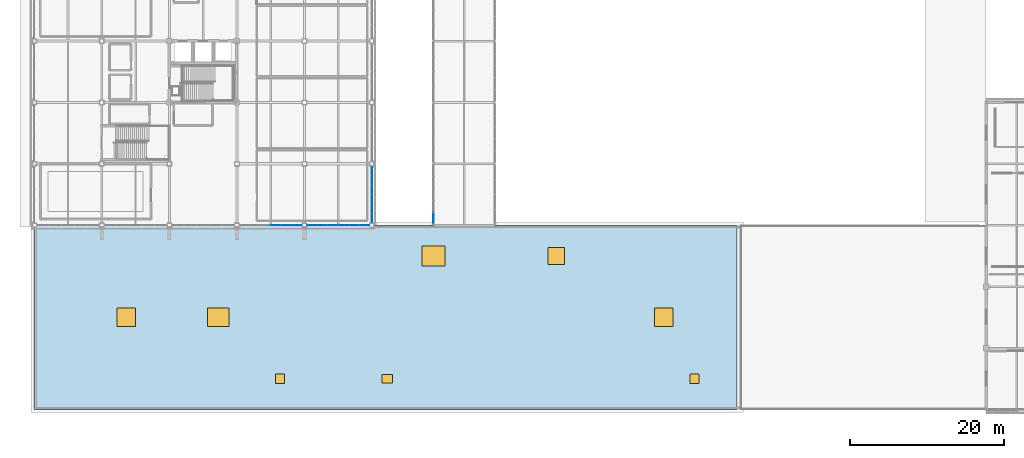
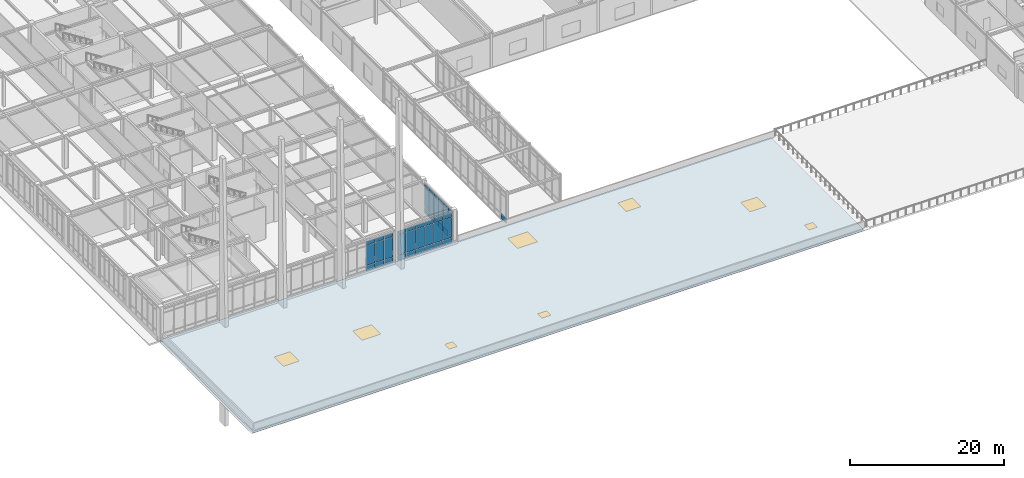
# One storey, part 59 of 108: 46 plates, 5 windows, 3 doors, 1 slab, 8 openings, 4 elements without a shape of their own.
"""IFC4 building model written with IfcOpenShell, lengths in metres."""

import ifcopenshell
import ifcopenshell.guid

model = None  # the IFC model being written
_history = None  # IfcOwnerHistory: only IFC2X3 demands one
_inside = {}  # id of a spatial element -> (the spatial element, [elements in it])
_under = {}  # id of a project, library or spatial element -> (it, [spatial elements below it])
_declared = {}  # id of a project -> (the project, [libraries it declares])
_typed = {}  # id of a type object -> (the type object, [elements of that type])
_made_of = {}  # id of a material, layer set ... -> (it, [elements and type objects made of it])


def new_model(schema):
    """Start an empty IFC model of exactly this schema.

    Asked for "IFC4X3", IfcOpenShell would pick the latest addendum, in which some entities
    have other attributes; the version numbers below select the first issue.
    IFC2X3 requires an IfcOwnerHistory on every rooted entity: one is made here for all.
    """
    global model, _history
    if schema == "IFC4X3":
        model = ifcopenshell.file(schema_version=(4, 3, 0, 0))
    else:
        model = ifcopenshell.file(schema=schema)
    _inside.clear()
    _under.clear()
    _declared.clear()
    _typed.clear()
    _made_of.clear()
    _history = None
    if model.schema == "IFC2X3":
        org = make("IfcOrganization", Name="unknown")
        user = make(
            "IfcPersonAndOrganization",
            ThePerson=make("IfcPerson", FamilyName="unknown"),
            TheOrganization=org,
        )
        app = make(
            "IfcApplication",
            ApplicationDeveloper=org,
            Version="unknown",
            ApplicationFullName="unknown",
            ApplicationIdentifier="unknown",
        )
        _history = make(
            "IfcOwnerHistory",
            OwningUser=user,
            OwningApplication=app,
            ChangeAction="ADDED",
            CreationDate=0,
        )
    return model


def make(cls, **values):
    """One entity of the class cls with the attributes given. An attribute that is None is left unset."""
    return model.create_entity(
        cls, **{name: value for name, value in values.items() if value is not None}
    )


def rooted(cls, **values):
    """An entity with a GlobalId (a new one), such as an element, a storey or a relation."""
    return make(cls, GlobalId=ifcopenshell.guid.new(), OwnerHistory=_history, **values)


def si_unit(unit_type, name, prefix=None):
    """IfcSIUnit, for example si_unit("LENGTHUNIT", "METRE", prefix="MILLI")."""
    return make("IfcSIUnit", UnitType=unit_type, Prefix=prefix, Name=name)


def assignment(units):
    """IfcUnitAssignment: the units of a project."""
    return None if units is None else make("IfcUnitAssignment", Units=units)


def point(xyz):
    """IfcCartesianPoint."""
    return None if xyz is None else make("IfcCartesianPoint", Coordinates=xyz)


def direction(xyz):
    """IfcDirection."""
    return None if xyz is None else make("IfcDirection", DirectionRatios=xyz)


def frame(location, z_axis=None, x_axis=None):
    """IfcAxis2Placement3D, a coordinate frame: its origin and axes. An axis left out is left unset."""
    return make(
        "IfcAxis2Placement3D",
        Location=point(location),
        Axis=direction(z_axis),
        RefDirection=direction(x_axis),
    )


def frame_2d(location, x_axis=None):
    """IfcAxis2Placement2D, a coordinate frame in the plane: its origin and x axis."""
    return make(
        "IfcAxis2Placement2D", Location=point(location), RefDirection=direction(x_axis)
    )


def origin():
    """The frame at (0, 0, 0) with its axes left unset."""
    return frame((0.0, 0.0, 0.0))


def origin_2d():
    """The frame at (0, 0) in the plane with its x axis left unset."""
    return frame_2d((0.0, 0.0))


def place(relative_to, where):
    """IfcLocalPlacement: puts the frame where relative to a parent placement (None: the world)."""
    return make(
        "IfcLocalPlacement", PlacementRelTo=relative_to, RelativePlacement=where
    )


def context(
    kind, dimensions, precision=None, world=None, true_north=None, identifier=None
):
    """IfcGeometricRepresentationContext, for example the 3D "Model" context."""
    return make(
        "IfcGeometricRepresentationContext",
        ContextIdentifier=identifier,
        ContextType=kind,
        CoordinateSpaceDimension=dimensions,
        Precision=precision,
        WorldCoordinateSystem=world,
        TrueNorth=true_north,
    )


def subcontext(parent, identifier, kind, view, scale=None):
    """IfcGeometricRepresentationSubContext, for example "Body" below "Model"."""
    return make(
        "IfcGeometricRepresentationSubContext",
        ContextIdentifier=identifier,
        ContextType=kind,
        ParentContext=parent,
        TargetScale=scale,
        TargetView=view,
    )


def project(units=None, contexts=None):
    """IfcProject with its units and contexts."""
    return rooted(
        "IfcProject",
        Name="project",
        RepresentationContexts=contexts,
        UnitsInContext=assignment(units),
    )


def spatial(cls, under=None, at=None, **own):
    """A site, building, storey or space (cls), placed at a placement, below another one or the project."""
    s = rooted(cls, ObjectPlacement=at, **own)
    if under is not None:
        _under.setdefault(under.id(), (under, []))[1].append(s)
    return s


def polyline(points):
    """IfcPolyline through the points."""
    return make("IfcPolyline", Points=[point(p) for p in points])


def profile(cls, at=None, kind="AREA", **sizes):
    """A parametric profile (cls). Its sizes go by their IFC names, for example OverallWidth=200.0."""
    return make(cls, ProfileType=kind, Position=at, **sizes)


def rectangle(**sizes):
    """IfcRectangleProfileDef."""
    return profile("IfcRectangleProfileDef", **sizes)


def outline(outer, holes=None, kind="AREA"):
    """IfcArbitraryClosedProfileDef: a profile drawn as a closed curve; with holes, ...WithVoids."""
    if holes is None:
        return make("IfcArbitraryClosedProfileDef", ProfileType=kind, OuterCurve=outer)
    return make(
        "IfcArbitraryProfileDefWithVoids",
        ProfileType=kind,
        OuterCurve=outer,
        InnerCurves=holes,
    )


def extrude(swept, where, along, depth):
    """IfcExtrudedAreaSolid: the profile swept, set in the frame where, extruded along a direction by depth."""
    return make(
        "IfcExtrudedAreaSolid",
        SweptArea=swept,
        Position=where,
        ExtrudedDirection=direction(along),
        Depth=depth,
    )


def shape(context_of_items, identifier, shape_type, items):
    """IfcShapeRepresentation: the items that make up one representation, for example the "Body"."""
    return make(
        "IfcShapeRepresentation",
        ContextOfItems=context_of_items,
        RepresentationIdentifier=identifier,
        RepresentationType=shape_type,
        Items=items,
    )


def material(Name=None, Category=None):
    """IfcMaterial."""
    return make("IfcMaterial", Name=Name, Category=Category)


def layer(
    of_material, thickness, ventilated=None, Name=None, Category=None, Priority=None
):
    """IfcMaterialLayer: one layer of a wall or slab, of a material (None: an air gap)."""
    return make(
        "IfcMaterialLayer",
        Material=of_material,
        LayerThickness=thickness,
        IsVentilated=ventilated,
        Name=Name,
        Category=Category,
        Priority=Priority,
    )


def layer_set(layers, Name=None):
    """IfcMaterialLayerSet."""
    return make("IfcMaterialLayerSet", MaterialLayers=layers, LayerSetName=Name)


def made_of(thing, what):
    """Note that an element or type object is made of a material, layer set ...; save() writes the relation."""
    if what is not None:
        _made_of.setdefault(what.id(), (what, []))[1].append(thing)
    return thing


def type_object(cls, material=None, **own):
    """A type object (cls), such as IfcWallType, which elements share."""
    return made_of(rooted(cls, **own), material)


def element(
    cls,
    number,
    at=None,
    inside=None,
    cuts=None,
    type_object=None,
    material=None,
    context=None,
    identifier="Body",
    shape_type=None,
    held_by="IfcProductDefinitionShape",
    body=None,
    shapes=None,
    **own,
):
    """One element of the class cls, such as IfcWall. Its Tag is "e" and its number.

    at: its placement. inside: the storey or other place that contains it. cuts: it is an
    opening in that element (IfcRelVoidsElement). A single representation is given by context,
    identifier, shape_type and body (its items); several are given by shapes. held_by: the class
    of the entity that holds the representations. save() writes the other relations.
    """
    e = rooted(cls, Tag="e%d" % number, ObjectPlacement=at, **own)
    if body is not None:
        shapes = [shape(context, identifier, shape_type, body)]
    if shapes is not None:
        e.Representation = make(held_by, Representations=shapes)
    if inside is not None:
        _inside.setdefault(inside.id(), (inside, []))[1].append(e)
    if cuts is not None:
        rooted(
            "IfcRelVoidsElement", RelatingBuildingElement=cuts, RelatedOpeningElement=e
        )
    if type_object is not None:
        _typed.setdefault(type_object.id(), (type_object, []))[1].append(e)
    return made_of(e, material)


def fill(opening, filler):
    """IfcRelFillsElement: the door or window that sits in an opening."""
    return rooted(
        "IfcRelFillsElement",
        RelatingOpeningElement=opening,
        RelatedBuildingElement=filler,
    )


def aggregate(whole, parts):
    """IfcRelAggregates: a whole, such as a stair, and the parts it consists of."""
    return rooted("IfcRelAggregates", RelatingObject=whole, RelatedObjects=parts)


def save(model, path):
    """Write the relations noted so far, then the file.

    IfcRelAggregates (storeys below a building ...), IfcRelContainedInSpatialStructure (elements
    in a storey), IfcRelDefinesByType, IfcRelAssociatesMaterial and IfcRelDeclares: one each for
    every whole, place, type object, material and project.
    """
    for whole, parts in _under.values():
        aggregate(whole, parts)
    for where, things in _inside.values():
        rooted(
            "IfcRelContainedInSpatialStructure",
            RelatedElements=things,
            RelatingStructure=where,
        )
    for kind, things in _typed.values():
        rooted("IfcRelDefinesByType", RelatedObjects=things, RelatingType=kind)
    for what, things in _made_of.values():
        rooted("IfcRelAssociatesMaterial", RelatedObjects=things, RelatingMaterial=what)
    for by, libraries in _declared.values():
        rooted("IfcRelDeclares", RelatingContext=by, RelatedDefinitions=libraries)
    model.write(path)


model = new_model("IFC4")

# Units and contexts
model_context = context("Model", 3, precision=1e-05, world=origin(), true_north=direction((0.0, 1.0)))
body_context = subcontext(model_context, "Body", "Model", "MODEL_VIEW")
ifc_project = project(units=[si_unit("LENGTHUNIT", "METRE"), si_unit("AREAUNIT", "SQUARE_METRE"), si_unit("VOLUMEUNIT", "CUBIC_METRE"), si_unit("PLANEANGLEUNIT", "RADIAN"), si_unit("MASSUNIT", "GRAM", prefix="KILO")], contexts=[model_context])

# Site, building, storey
site_placement = place(None, origin())
site = spatial("IfcSite", under=ifc_project, at=site_placement, CompositionType="ELEMENT")
building_placement = place(site_placement, origin())
building = spatial("IfcBuilding", under=site, at=building_placement, Name="Zhaolan Boulevard Law Courts", CompositionType="ELEMENT")
storey_placement = place(building_placement, frame((0.0, 0.0, 10.800048828125)))
storey = spatial("IfcBuildingStorey", under=building, at=storey_placement, Name="L02", CompositionType="ELEMENT", Elevation=10.800048828125)

# Curtain wall, plate
ifc_material_1 = material(Name="Thermally broken aluminium and low-E glazing", Category="aluminium")
curtain_wall_type_1 = type_object("IfcCurtainWallType", Name="CURTAIN WALL M20", PredefinedType="USERDEFINED", material=ifc_material_1)
curtain_wall_1_placement = place(storey_placement, origin())
curtain_wall_1 = element("IfcCurtainWall", 1, at=curtain_wall_1_placement, inside=storey, type_object=curtain_wall_type_1, Name="Curtain Wall CW-L02-092", ObjectType="CURTAIN WALL", PredefinedType="USERDEFINED")
ifc_material_2 = material(Name="Triple-silver low-E insulated glazing", Category="glass")
ifc_layer_1 = layer(ifc_material_2, 0.028076171875)
ifc_layer_set_1 = layer_set([ifc_layer_1])
plate_type = type_object("IfcPlateType", Name="CWPANEL LOW E28", PredefinedType="CURTAIN_PANEL", material=ifc_layer_set_1)
plate_1_placement = place(storey_placement, frame((52.0, 30.91796875, 0.06494140625), z_axis=(0.0, 0.0, 1.0), x_axis=(0.0, -1.0, 0.0)))
plate_1 = element("IfcPlate", 2, at=plate_1_placement, type_object=plate_type, Name="CW-L02-092 panel 5.1", PredefinedType="CURTAIN_PANEL", context=body_context, shape_type="SweptSolid", body=[
    extrude(rectangle(XDim=1.45166015625, YDim=0.028076171875, at=origin_2d()), origin(), (0.0, 0.0, 1.0), 0.802490234375),
])
aggregate(curtain_wall_1, [plate_1])

# Curtain wall, plates
ifc_material_3 = material(Name="Thermally broken aluminium and low-E glazing", Category="aluminium")
curtain_wall_type_2 = type_object("IfcCurtainWallType", Name="CURTAIN WALL M10", PredefinedType="USERDEFINED", material=ifc_material_3)
curtain_wall_2_placement = place(storey_placement, origin())
curtain_wall_2 = element("IfcCurtainWall", 3, at=curtain_wall_2_placement, inside=storey, type_object=curtain_wall_type_2, Name="Curtain Wall CW-L02-154", ObjectType="CURTAIN WALL", PredefinedType="USERDEFINED")
plate_2_placement = place(storey_placement, frame((31.48291015625, 30.0, 0.06494140625), z_axis=(0.0, 0.0, 1.0), x_axis=(1.0, 0.0, 0.0)))
plate_2 = element("IfcPlate", 4, at=plate_2_placement, type_object=plate_type, Name="CW-L02-154 panel 4.1", PredefinedType="CURTAIN_PANEL", context=body_context, shape_type="SweptSolid", body=[
    extrude(rectangle(XDim=1.301025390625, YDim=0.028076171875, at=origin_2d()), origin(), (0.0, 0.0, 1.0), 0.802490234375),
])
plate_3_placement = place(storey_placement, frame((31.48291015625, 30.0, 0.932373046875), z_axis=(0.0, 0.0, 1.0), x_axis=(1.0, 0.0, 0.0)))
plate_3 = element("IfcPlate", 5, at=plate_3_placement, type_object=plate_type, Name="CW-L02-154 panel 4.2", PredefinedType="CURTAIN_PANEL", context=body_context, shape_type="SweptSolid", body=[
    extrude(rectangle(XDim=1.301025390625, YDim=0.028076171875, at=origin_2d()), origin(), (0.0, 0.0, 1.0), 3.16796875),
])
plate_4_placement = place(storey_placement, frame((31.48291015625, 30.0, 4.16552734375), z_axis=(0.0, 0.0, 1.0), x_axis=(1.0, 0.0, 0.0)))
plate_4 = element("IfcPlate", 6, at=plate_4_placement, type_object=plate_type, Name="CW-L02-154 panel 4.3", PredefinedType="CURTAIN_PANEL", context=body_context, shape_type="SweptSolid", body=[
    extrude(rectangle(XDim=1.301025390625, YDim=0.028076171875, at=origin_2d()), origin(), (0.0, 0.0, 1.0), 0.552490234375),
])
plate_5_placement = place(storey_placement, frame((32.84912109375, 30.0, 0.06494140625), z_axis=(0.0, 0.0, 1.0), x_axis=(1.0, 0.0, 0.0)))
plate_5 = element("IfcPlate", 7, at=plate_5_placement, type_object=plate_type, Name="CW-L02-154 panel 5.1", PredefinedType="CURTAIN_PANEL", context=body_context, shape_type="SweptSolid", body=[
    extrude(rectangle(XDim=1.301025390625, YDim=0.028076171875, at=origin_2d()), origin(), (0.0, 0.0, 1.0), 0.802490234375),
])
plate_6_placement = place(storey_placement, frame((32.84912109375, 30.0, 0.932373046875), z_axis=(0.0, 0.0, 1.0), x_axis=(1.0, 0.0, 0.0)))
plate_6 = element("IfcPlate", 8, at=plate_6_placement, type_object=plate_type, Name="CW-L02-154 panel 5.2", PredefinedType="CURTAIN_PANEL", context=body_context, shape_type="SweptSolid", body=[
    extrude(rectangle(XDim=1.301025390625, YDim=0.028076171875, at=origin_2d()), origin(), (0.0, 0.0, 1.0), 3.16796875),
])
plate_7_placement = place(storey_placement, frame((32.84912109375, 30.0, 4.16552734375), z_axis=(0.0, 0.0, 1.0), x_axis=(1.0, 0.0, 0.0)))
plate_7 = element("IfcPlate", 9, at=plate_7_placement, type_object=plate_type, Name="CW-L02-154 panel 5.3", PredefinedType="CURTAIN_PANEL", context=body_context, shape_type="SweptSolid", body=[
    extrude(rectangle(XDim=1.301025390625, YDim=0.028076171875, at=origin_2d()), origin(), (0.0, 0.0, 1.0), 0.552490234375),
])
plate_8_placement = place(storey_placement, frame((34.19873046875, 30.0, 0.06494140625), z_axis=(0.0, 0.0, 1.0), x_axis=(1.0, 0.0, 0.0)))
plate_8 = element("IfcPlate", 10, at=plate_8_placement, type_object=plate_type, Name="CW-L02-154 panel 6.1", PredefinedType="CURTAIN_PANEL", context=body_context, shape_type="SweptSolid", body=[
    extrude(rectangle(XDim=1.2685546875, YDim=0.028076171875, at=origin_2d()), origin(), (0.0, 0.0, 1.0), 0.802490234375),
])
plate_9_placement = place(storey_placement, frame((34.19873046875, 30.0, 0.932373046875), z_axis=(0.0, 0.0, 1.0), x_axis=(1.0, 0.0, 0.0)))
plate_9 = element("IfcPlate", 11, at=plate_9_placement, type_object=plate_type, Name="CW-L02-154 panel 6.2", PredefinedType="CURTAIN_PANEL", context=body_context, shape_type="SweptSolid", body=[
    extrude(rectangle(XDim=1.2685546875, YDim=0.028076171875, at=origin_2d()), origin(), (0.0, 0.0, 1.0), 3.16796875),
])
plate_10_placement = place(storey_placement, frame((34.19873046875, 30.0, 4.16552734375), z_axis=(0.0, 0.0, 1.0), x_axis=(1.0, 0.0, 0.0)))
plate_10 = element("IfcPlate", 12, at=plate_10_placement, type_object=plate_type, Name="CW-L02-154 panel 6.3", PredefinedType="CURTAIN_PANEL", context=body_context, shape_type="SweptSolid", body=[
    extrude(rectangle(XDim=1.2685546875, YDim=0.028076171875, at=origin_2d()), origin(), (0.0, 0.0, 1.0), 0.552490234375),
])
aggregate(curtain_wall_2, [plate_2, plate_3, plate_4, plate_5, plate_6, plate_7, plate_8, plate_9, plate_10])

ifc_material_4 = material(Name="Thermally broken aluminium and low-E glazing", Category="aluminium")
curtain_wall_type_3 = type_object("IfcCurtainWallType", Name="CURTAIN WALL M11", PredefinedType="USERDEFINED", material=ifc_material_4)
curtain_wall_3_placement = place(storey_placement, origin())
curtain_wall_3 = element("IfcCurtainWall", 13, at=curtain_wall_3_placement, inside=storey, type_object=curtain_wall_type_3, Name="Curtain Wall CW-L02-155", ObjectType="CURTAIN WALL", PredefinedType="USERDEFINED")
plate_11_placement = place(storey_placement, frame((36.201171875, 30.0, 0.06494140625), z_axis=(0.0, 0.0, 1.0), x_axis=(1.0, 0.0, 0.0)))
plate_11 = element("IfcPlate", 14, at=plate_11_placement, type_object=plate_type, Name="CW-L02-155 panel 1.1", PredefinedType="CURTAIN_PANEL", context=body_context, shape_type="SweptSolid", body=[
    extrude(rectangle(XDim=1.2685546875, YDim=0.028076171875, at=origin_2d()), origin(), (0.0, 0.0, 1.0), 0.802490234375),
])
plate_12_placement = place(storey_placement, frame((36.201171875, 30.0, 0.932373046875), z_axis=(0.0, 0.0, 1.0), x_axis=(1.0, 0.0, 0.0)))
plate_12 = element("IfcPlate", 15, at=plate_12_placement, type_object=plate_type, Name="CW-L02-155 panel 1.2", PredefinedType="CURTAIN_PANEL", context=body_context, shape_type="SweptSolid", body=[
    extrude(rectangle(XDim=1.2685546875, YDim=0.028076171875, at=origin_2d()), origin(), (0.0, 0.0, 1.0), 3.16796875),
])
plate_13_placement = place(storey_placement, frame((36.201171875, 30.0, 4.16552734375), z_axis=(0.0, 0.0, 1.0), x_axis=(1.0, 0.0, 0.0)))
plate_13 = element("IfcPlate", 16, at=plate_13_placement, type_object=plate_type, Name="CW-L02-155 panel 1.3", PredefinedType="CURTAIN_PANEL", context=body_context, shape_type="SweptSolid", body=[
    extrude(rectangle(XDim=1.2685546875, YDim=0.028076171875, at=origin_2d()), origin(), (0.0, 0.0, 1.0), 0.552490234375),
])
plate_14_placement = place(storey_placement, frame((37.551025390625, 30.0, 0.06494140625), z_axis=(0.0, 0.0, 1.0), x_axis=(1.0, 0.0, 0.0)))
plate_14 = element("IfcPlate", 17, at=plate_14_placement, type_object=plate_type, Name="CW-L02-155 panel 2.1", PredefinedType="CURTAIN_PANEL", context=body_context, shape_type="SweptSolid", body=[
    extrude(rectangle(XDim=1.301025390625, YDim=0.028076171875, at=origin_2d()), origin(), (0.0, 0.0, 1.0), 0.802490234375),
])
plate_15_placement = place(storey_placement, frame((37.551025390625, 30.0, 0.932373046875), z_axis=(0.0, 0.0, 1.0), x_axis=(1.0, 0.0, 0.0)))
plate_15 = element("IfcPlate", 18, at=plate_15_placement, type_object=plate_type, Name="CW-L02-155 panel 2.2", PredefinedType="CURTAIN_PANEL", context=body_context, shape_type="SweptSolid", body=[
    extrude(rectangle(XDim=1.301025390625, YDim=0.028076171875, at=origin_2d()), origin(), (0.0, 0.0, 1.0), 3.16796875),
])
plate_16_placement = place(storey_placement, frame((37.551025390625, 30.0, 4.16552734375), z_axis=(0.0, 0.0, 1.0), x_axis=(1.0, 0.0, 0.0)))
plate_16 = element("IfcPlate", 19, at=plate_16_placement, type_object=plate_type, Name="CW-L02-155 panel 2.3", PredefinedType="CURTAIN_PANEL", context=body_context, shape_type="SweptSolid", body=[
    extrude(rectangle(XDim=1.301025390625, YDim=0.028076171875, at=origin_2d()), origin(), (0.0, 0.0, 1.0), 0.552490234375),
])
plate_17_placement = place(storey_placement, frame((38.9169921875, 30.0, 0.06494140625), z_axis=(0.0, 0.0, 1.0), x_axis=(1.0, 0.0, 0.0)))
plate_17 = element("IfcPlate", 20, at=plate_17_placement, type_object=plate_type, Name="CW-L02-155 panel 3.1", PredefinedType="CURTAIN_PANEL", context=body_context, shape_type="SweptSolid", body=[
    extrude(rectangle(XDim=1.301025390625, YDim=0.028076171875, at=origin_2d()), origin(), (0.0, 0.0, 1.0), 0.802490234375),
])
plate_18_placement = place(storey_placement, frame((38.9169921875, 30.0, 0.932373046875), z_axis=(0.0, 0.0, 1.0), x_axis=(1.0, 0.0, 0.0)))
plate_18 = element("IfcPlate", 21, at=plate_18_placement, type_object=plate_type, Name="CW-L02-155 panel 3.2", PredefinedType="CURTAIN_PANEL", context=body_context, shape_type="SweptSolid", body=[
    extrude(rectangle(XDim=1.301025390625, YDim=0.028076171875, at=origin_2d()), origin(), (0.0, 0.0, 1.0), 3.16796875),
])
plate_19_placement = place(storey_placement, frame((38.9169921875, 30.0, 4.16552734375), z_axis=(0.0, 0.0, 1.0), x_axis=(1.0, 0.0, 0.0)))
plate_19 = element("IfcPlate", 22, at=plate_19_placement, type_object=plate_type, Name="CW-L02-155 panel 3.3", PredefinedType="CURTAIN_PANEL", context=body_context, shape_type="SweptSolid", body=[
    extrude(rectangle(XDim=1.301025390625, YDim=0.028076171875, at=origin_2d()), origin(), (0.0, 0.0, 1.0), 0.552490234375),
])
plate_20_placement = place(storey_placement, frame((40.282958984375, 30.0, 0.06494140625), z_axis=(0.0, 0.0, 1.0), x_axis=(1.0, 0.0, 0.0)))
plate_20 = element("IfcPlate", 23, at=plate_20_placement, type_object=plate_type, Name="CW-L02-155 panel 4.1", PredefinedType="CURTAIN_PANEL", context=body_context, shape_type="SweptSolid", body=[
    extrude(rectangle(XDim=1.301025390625, YDim=0.028076171875, at=origin_2d()), origin(), (0.0, 0.0, 1.0), 0.802490234375),
])
plate_21_placement = place(storey_placement, frame((40.282958984375, 30.0, 0.932373046875), z_axis=(0.0, 0.0, 1.0), x_axis=(1.0, 0.0, 0.0)))
plate_21 = element("IfcPlate", 24, at=plate_21_placement, type_object=plate_type, Name="CW-L02-155 panel 4.2", PredefinedType="CURTAIN_PANEL", context=body_context, shape_type="SweptSolid", body=[
    extrude(rectangle(XDim=1.301025390625, YDim=0.028076171875, at=origin_2d()), origin(), (0.0, 0.0, 1.0), 3.16796875),
])
plate_22_placement = place(storey_placement, frame((40.282958984375, 30.0, 4.16552734375), z_axis=(0.0, 0.0, 1.0), x_axis=(1.0, 0.0, 0.0)))
plate_22 = element("IfcPlate", 25, at=plate_22_placement, type_object=plate_type, Name="CW-L02-155 panel 4.3", PredefinedType="CURTAIN_PANEL", context=body_context, shape_type="SweptSolid", body=[
    extrude(rectangle(XDim=1.301025390625, YDim=0.028076171875, at=origin_2d()), origin(), (0.0, 0.0, 1.0), 0.552490234375),
])
plate_23_placement = place(storey_placement, frame((41.64892578125, 30.0, 0.06494140625), z_axis=(0.0, 0.0, 1.0), x_axis=(1.0, 0.0, 0.0)))
plate_23 = element("IfcPlate", 26, at=plate_23_placement, type_object=plate_type, Name="CW-L02-155 panel 5.1", PredefinedType="CURTAIN_PANEL", context=body_context, shape_type="SweptSolid", body=[
    extrude(rectangle(XDim=1.301025390625, YDim=0.028076171875, at=origin_2d()), origin(), (0.0, 0.0, 1.0), 0.802490234375),
])
plate_24_placement = place(storey_placement, frame((41.64892578125, 30.0, 0.932373046875), z_axis=(0.0, 0.0, 1.0), x_axis=(1.0, 0.0, 0.0)))
plate_24 = element("IfcPlate", 27, at=plate_24_placement, type_object=plate_type, Name="CW-L02-155 panel 5.2", PredefinedType="CURTAIN_PANEL", context=body_context, shape_type="SweptSolid", body=[
    extrude(rectangle(XDim=1.301025390625, YDim=0.028076171875, at=origin_2d()), origin(), (0.0, 0.0, 1.0), 3.16796875),
])
plate_25_placement = place(storey_placement, frame((41.64892578125, 30.0, 4.16552734375), z_axis=(0.0, 0.0, 1.0), x_axis=(1.0, 0.0, 0.0)))
plate_25 = element("IfcPlate", 28, at=plate_25_placement, type_object=plate_type, Name="CW-L02-155 panel 5.3", PredefinedType="CURTAIN_PANEL", context=body_context, shape_type="SweptSolid", body=[
    extrude(rectangle(XDim=1.301025390625, YDim=0.028076171875, at=origin_2d()), origin(), (0.0, 0.0, 1.0), 0.552490234375),
])
plate_26_placement = place(storey_placement, frame((42.998779296875, 30.0, 0.06494140625), z_axis=(0.0, 0.0, 1.0), x_axis=(1.0, 0.0, 0.0)))
plate_26 = element("IfcPlate", 29, at=plate_26_placement, type_object=plate_type, Name="CW-L02-155 panel 6.1", PredefinedType="CURTAIN_PANEL", context=body_context, shape_type="SweptSolid", body=[
    extrude(rectangle(XDim=1.2685546875, YDim=0.028076171875, at=origin_2d()), origin(), (0.0, 0.0, 1.0), 0.802490234375),
])
plate_27_placement = place(storey_placement, frame((42.998779296875, 30.0, 0.932373046875), z_axis=(0.0, 0.0, 1.0), x_axis=(1.0, 0.0, 0.0)))
plate_27 = element("IfcPlate", 30, at=plate_27_placement, type_object=plate_type, Name="CW-L02-155 panel 6.2", PredefinedType="CURTAIN_PANEL", context=body_context, shape_type="SweptSolid", body=[
    extrude(rectangle(XDim=1.2685546875, YDim=0.028076171875, at=origin_2d()), origin(), (0.0, 0.0, 1.0), 3.16796875),
])
plate_28_placement = place(storey_placement, frame((42.998779296875, 30.0, 4.16552734375), z_axis=(0.0, 0.0, 1.0), x_axis=(1.0, 0.0, 0.0)))
plate_28 = element("IfcPlate", 31, at=plate_28_placement, type_object=plate_type, Name="CW-L02-155 panel 6.3", PredefinedType="CURTAIN_PANEL", context=body_context, shape_type="SweptSolid", body=[
    extrude(rectangle(XDim=1.2685546875, YDim=0.028076171875, at=origin_2d()), origin(), (0.0, 0.0, 1.0), 0.552490234375),
])
aggregate(curtain_wall_3, [plate_11, plate_12, plate_13, plate_14, plate_15, plate_16, plate_17, plate_18, plate_19, plate_20, plate_21, plate_22, plate_23, plate_24, plate_25, plate_26, plate_27, plate_28])

ifc_material_5 = material(Name="Thermally broken aluminium and low-E glazing", Category="aluminium")
curtain_wall_type_4 = type_object("IfcCurtainWallType", Name="CURTAIN WALL M18", PredefinedType="USERDEFINED", material=ifc_material_5)
curtain_wall_4_placement = place(storey_placement, origin())
curtain_wall_4 = element("IfcCurtainWall", 32, at=curtain_wall_4_placement, inside=storey, type_object=curtain_wall_type_4, Name="Curtain Wall CW-L02-162", ObjectType="CURTAIN WALL", PredefinedType="USERDEFINED")
plate_29_placement = place(storey_placement, frame((44.0, 30.9345703125, 0.06494140625), z_axis=(0.0, 0.0, 1.0), x_axis=(0.0, 1.0, 0.0)))
plate_29 = element("IfcPlate", 33, at=plate_29_placement, type_object=plate_type, Name="CW-L02-162 panel 1.1", PredefinedType="CURTAIN_PANEL", context=body_context, shape_type="SweptSolid", body=[
    extrude(rectangle(XDim=1.13525390625, YDim=0.028076171875, at=origin_2d()), origin(), (0.0, 0.0, 1.0), 0.802490234375),
])
plate_30_placement = place(storey_placement, frame((44.0, 30.9345703125, 0.932373046875), z_axis=(0.0, 0.0, 1.0), x_axis=(0.0, 1.0, 0.0)))
plate_30 = element("IfcPlate", 34, at=plate_30_placement, type_object=plate_type, Name="CW-L02-162 panel 1.2", PredefinedType="CURTAIN_PANEL", context=body_context, shape_type="SweptSolid", body=[
    extrude(rectangle(XDim=1.13525390625, YDim=0.028076171875, at=origin_2d()), origin(), (0.0, 0.0, 1.0), 3.16796875),
])
plate_31_placement = place(storey_placement, frame((44.0, 30.9345703125, 4.16552734375), z_axis=(0.0, 0.0, 1.0), x_axis=(0.0, 1.0, 0.0)))
plate_31 = element("IfcPlate", 35, at=plate_31_placement, type_object=plate_type, Name="CW-L02-162 panel 1.3", PredefinedType="CURTAIN_PANEL", context=body_context, shape_type="SweptSolid", body=[
    extrude(rectangle(XDim=1.13525390625, YDim=0.028076171875, at=origin_2d()), origin(), (0.0, 0.0, 1.0), 0.552490234375),
])
plate_32_placement = place(storey_placement, frame((44.0, 32.15087890625, 0.06494140625), z_axis=(0.0, 0.0, 1.0), x_axis=(0.0, 1.0, 0.0)))
plate_32 = element("IfcPlate", 36, at=plate_32_placement, type_object=plate_type, Name="CW-L02-162 panel 2.1", PredefinedType="CURTAIN_PANEL", context=body_context, shape_type="SweptSolid", body=[
    extrude(rectangle(XDim=1.167724609375, YDim=0.028076171875, at=origin_2d()), origin(), (0.0, 0.0, 1.0), 0.802490234375),
])
plate_33_placement = place(storey_placement, frame((44.0, 32.15087890625, 0.932373046875), z_axis=(0.0, 0.0, 1.0), x_axis=(0.0, 1.0, 0.0)))
plate_33 = element("IfcPlate", 37, at=plate_33_placement, type_object=plate_type, Name="CW-L02-162 panel 2.2", PredefinedType="CURTAIN_PANEL", context=body_context, shape_type="SweptSolid", body=[
    extrude(rectangle(XDim=1.167724609375, YDim=0.028076171875, at=origin_2d()), origin(), (0.0, 0.0, 1.0), 3.16796875),
])
plate_34_placement = place(storey_placement, frame((44.0, 32.15087890625, 4.16552734375), z_axis=(0.0, 0.0, 1.0), x_axis=(0.0, 1.0, 0.0)))
plate_34 = element("IfcPlate", 38, at=plate_34_placement, type_object=plate_type, Name="CW-L02-162 panel 2.3", PredefinedType="CURTAIN_PANEL", context=body_context, shape_type="SweptSolid", body=[
    extrude(rectangle(XDim=1.167724609375, YDim=0.028076171875, at=origin_2d()), origin(), (0.0, 0.0, 1.0), 0.552490234375),
])
plate_35_placement = place(storey_placement, frame((44.0, 33.383544921875, 0.06494140625), z_axis=(0.0, 0.0, 1.0), x_axis=(0.0, 1.0, 0.0)))
plate_35 = element("IfcPlate", 39, at=plate_35_placement, type_object=plate_type, Name="CW-L02-162 panel 3.1", PredefinedType="CURTAIN_PANEL", context=body_context, shape_type="SweptSolid", body=[
    extrude(rectangle(XDim=1.167724609375, YDim=0.028076171875, at=origin_2d()), origin(), (0.0, 0.0, 1.0), 0.802490234375),
])
plate_36_placement = place(storey_placement, frame((44.0, 33.383544921875, 0.932373046875), z_axis=(0.0, 0.0, 1.0), x_axis=(0.0, 1.0, 0.0)))
plate_36 = element("IfcPlate", 40, at=plate_36_placement, type_object=plate_type, Name="CW-L02-162 panel 3.2", PredefinedType="CURTAIN_PANEL", context=body_context, shape_type="SweptSolid", body=[
    extrude(rectangle(XDim=1.167724609375, YDim=0.028076171875, at=origin_2d()), origin(), (0.0, 0.0, 1.0), 3.16796875),
])
plate_37_placement = place(storey_placement, frame((44.0, 33.383544921875, 4.16552734375), z_axis=(0.0, 0.0, 1.0), x_axis=(0.0, 1.0, 0.0)))
plate_37 = element("IfcPlate", 41, at=plate_37_placement, type_object=plate_type, Name="CW-L02-162 panel 3.3", PredefinedType="CURTAIN_PANEL", context=body_context, shape_type="SweptSolid", body=[
    extrude(rectangle(XDim=1.167724609375, YDim=0.028076171875, at=origin_2d()), origin(), (0.0, 0.0, 1.0), 0.552490234375),
])
plate_38_placement = place(storey_placement, frame((44.0, 34.616455078125, 0.06494140625), z_axis=(0.0, 0.0, 1.0), x_axis=(0.0, 1.0, 0.0)))
plate_38 = element("IfcPlate", 42, at=plate_38_placement, type_object=plate_type, Name="CW-L02-162 panel 4.1", PredefinedType="CURTAIN_PANEL", context=body_context, shape_type="SweptSolid", body=[
    extrude(rectangle(XDim=1.167724609375, YDim=0.028076171875, at=origin_2d()), origin(), (0.0, 0.0, 1.0), 0.802490234375),
])
plate_39_placement = place(storey_placement, frame((44.0, 34.616455078125, 0.932373046875), z_axis=(0.0, 0.0, 1.0), x_axis=(0.0, 1.0, 0.0)))
plate_39 = element("IfcPlate", 43, at=plate_39_placement, type_object=plate_type, Name="CW-L02-162 panel 4.2", PredefinedType="CURTAIN_PANEL", context=body_context, shape_type="SweptSolid", body=[
    extrude(rectangle(XDim=1.167724609375, YDim=0.028076171875, at=origin_2d()), origin(), (0.0, 0.0, 1.0), 3.16796875),
])
plate_40_placement = place(storey_placement, frame((44.0, 34.616455078125, 4.16552734375), z_axis=(0.0, 0.0, 1.0), x_axis=(0.0, 1.0, 0.0)))
plate_40 = element("IfcPlate", 44, at=plate_40_placement, type_object=plate_type, Name="CW-L02-162 panel 4.3", PredefinedType="CURTAIN_PANEL", context=body_context, shape_type="SweptSolid", body=[
    extrude(rectangle(XDim=1.167724609375, YDim=0.028076171875, at=origin_2d()), origin(), (0.0, 0.0, 1.0), 0.552490234375),
])
plate_41_placement = place(storey_placement, frame((44.0, 35.84912109375, 0.06494140625), z_axis=(0.0, 0.0, 1.0), x_axis=(0.0, 1.0, 0.0)))
plate_41 = element("IfcPlate", 45, at=plate_41_placement, type_object=plate_type, Name="CW-L02-162 panel 5.1", PredefinedType="CURTAIN_PANEL", context=body_context, shape_type="SweptSolid", body=[
    extrude(rectangle(XDim=1.167724609375, YDim=0.028076171875, at=origin_2d()), origin(), (0.0, 0.0, 1.0), 0.802490234375),
])
plate_42_placement = place(storey_placement, frame((44.0, 35.84912109375, 0.932373046875), z_axis=(0.0, 0.0, 1.0), x_axis=(0.0, 1.0, 0.0)))
plate_42 = element("IfcPlate", 46, at=plate_42_placement, type_object=plate_type, Name="CW-L02-162 panel 5.2", PredefinedType="CURTAIN_PANEL", context=body_context, shape_type="SweptSolid", body=[
    extrude(rectangle(XDim=1.167724609375, YDim=0.028076171875, at=origin_2d()), origin(), (0.0, 0.0, 1.0), 3.16796875),
])
plate_43_placement = place(storey_placement, frame((44.0, 35.84912109375, 4.16552734375), z_axis=(0.0, 0.0, 1.0), x_axis=(0.0, 1.0, 0.0)))
plate_43 = element("IfcPlate", 47, at=plate_43_placement, type_object=plate_type, Name="CW-L02-162 panel 5.3", PredefinedType="CURTAIN_PANEL", context=body_context, shape_type="SweptSolid", body=[
    extrude(rectangle(XDim=1.167724609375, YDim=0.028076171875, at=origin_2d()), origin(), (0.0, 0.0, 1.0), 0.552490234375),
])
plate_44_placement = place(storey_placement, frame((44.0, 37.0654296875, 0.06494140625), z_axis=(0.0, 0.0, 1.0), x_axis=(0.0, 1.0, 0.0)))
plate_44 = element("IfcPlate", 48, at=plate_44_placement, type_object=plate_type, Name="CW-L02-162 panel 6.1", PredefinedType="CURTAIN_PANEL", context=body_context, shape_type="SweptSolid", body=[
    extrude(rectangle(XDim=1.13525390625, YDim=0.028076171875, at=origin_2d()), origin(), (0.0, 0.0, 1.0), 0.802490234375),
])
plate_45_placement = place(storey_placement, frame((44.0, 37.0654296875, 0.932373046875), z_axis=(0.0, 0.0, 1.0), x_axis=(0.0, 1.0, 0.0)))
plate_45 = element("IfcPlate", 49, at=plate_45_placement, type_object=plate_type, Name="CW-L02-162 panel 6.2", PredefinedType="CURTAIN_PANEL", context=body_context, shape_type="SweptSolid", body=[
    extrude(rectangle(XDim=1.13525390625, YDim=0.028076171875, at=origin_2d()), origin(), (0.0, 0.0, 1.0), 3.16796875),
])
plate_46_placement = place(storey_placement, frame((44.0, 37.0654296875, 4.16552734375), z_axis=(0.0, 0.0, 1.0), x_axis=(0.0, 1.0, 0.0)))
plate_46 = element("IfcPlate", 50, at=plate_46_placement, type_object=plate_type, Name="CW-L02-162 panel 6.3", PredefinedType="CURTAIN_PANEL", context=body_context, shape_type="SweptSolid", body=[
    extrude(rectangle(XDim=1.13525390625, YDim=0.028076171875, at=origin_2d()), origin(), (0.0, 0.0, 1.0), 0.552490234375),
])
aggregate(curtain_wall_4, [plate_29, plate_30, plate_31, plate_32, plate_33, plate_34, plate_35, plate_36, plate_37, plate_38, plate_39, plate_40, plate_41, plate_42, plate_43, plate_44, plate_45, plate_46])

# Slab, openings, doors, windows
ifc_material_6 = material(Name="Concrete C40", Category="concrete")
ifc_layer_2 = layer(ifc_material_6, 0.260009765625)
ifc_layer_set_2 = layer_set([ifc_layer_2])
slab_type = type_object("IfcSlabType", Name="FLAT ROOF SLAB 260", PredefinedType="ROOF", material=ifc_layer_set_2)
slab_placement = place(storey_placement, frame((0.0, 0.0, -0.260009765625)))
slab = element("IfcSlab", 51, at=slab_placement, inside=storey, type_object=slab_type, Name="Slab SLB-L02-V4RF", PredefinedType="ROOF", context=body_context, shape_type="SweptSolid", body=[
    extrude(outline(polyline([(0.0, 6.0), (91.550048828125, 6.0), (91.550048828125, 30.0), (0.0, 30.0), (0.0, 6.0)]), holes=[polyline([(10.800048828125, 16.800048828125), (13.199951171875, 16.800048828125), (13.199951171875, 19.199951171875), (10.800048828125, 19.199951171875), (10.800048828125, 16.800048828125)]), polyline([(22.60009765625, 16.800048828125), (25.39990234375, 16.800048828125), (25.39990234375, 19.199951171875), (22.60009765625, 19.199951171875), (22.60009765625, 16.800048828125)]), polyline([(50.5, 24.699951171875), (53.5, 24.699951171875), (53.5, 27.300048828125), (50.5, 27.300048828125), (50.5, 24.699951171875)]), polyline([(66.89990234375, 24.89990234375), (69.10009765625, 24.89990234375), (69.10009765625, 27.10009765625), (66.89990234375, 27.10009765625), (66.89990234375, 24.89990234375)]), polyline([(80.800048828125, 16.800048828125), (83.199951171875, 16.800048828125), (83.199951171875, 19.199951171875), (80.800048828125, 19.199951171875), (80.800048828125, 16.800048828125)]), polyline([(31.39990234375, 9.39990234375), (32.60009765625, 9.39990234375), (32.60009765625, 10.60009765625), (31.39990234375, 10.60009765625), (31.39990234375, 9.39990234375)]), polyline([(45.300048828125, 9.449951171875), (46.699951171875, 9.449951171875), (46.699951171875, 10.550048828125), (45.300048828125, 10.550048828125), (45.300048828125, 9.449951171875)]), polyline([(85.39990234375, 9.39990234375), (86.60009765625, 9.39990234375), (86.60009765625, 10.60009765625), (85.39990234375, 10.60009765625), (85.39990234375, 9.39990234375)])]), origin(), (0.0, 0.0, 1.0), 0.260009765625),
])
opening_1_placement = place(slab_placement, frame((12.0, 18.0, 0.0)))
opening_1 = element("IfcOpeningElement", 52, at=opening_1_placement, cuts=slab, Name="Opening SKY-01", PredefinedType="OPENING", context=body_context, shape_type="SweptSolid", body=[
    extrude(rectangle(XDim=2.39990234375, YDim=2.39990234375, at=origin_2d()), origin(), (0.0, 0.0, 1.0), 0.260009765625),
])
opening_2_placement = place(slab_placement, frame((24.0, 18.0, 0.0)))
opening_2 = element("IfcOpeningElement", 53, at=opening_2_placement, cuts=slab, Name="Opening SKY-02", PredefinedType="OPENING", context=body_context, shape_type="SweptSolid", body=[
    extrude(rectangle(XDim=2.800048828125, YDim=2.39990234375, at=origin_2d()), origin(), (0.0, 0.0, 1.0), 0.260009765625),
])
opening_3_placement = place(slab_placement, frame((52.0, 26.0, 0.0)))
opening_3 = element("IfcOpeningElement", 54, at=opening_3_placement, cuts=slab, Name="Opening SKY-03", PredefinedType="OPENING", context=body_context, shape_type="SweptSolid", body=[
    extrude(rectangle(XDim=3.0, YDim=2.60009765625, at=origin_2d()), origin(), (0.0, 0.0, 1.0), 0.260009765625),
])
opening_4_placement = place(slab_placement, frame((68.0, 26.0, 0.0)))
opening_4 = element("IfcOpeningElement", 55, at=opening_4_placement, cuts=slab, Name="Opening SKY-04", PredefinedType="OPENING", context=body_context, shape_type="SweptSolid", body=[
    extrude(rectangle(XDim=2.199951171875, YDim=2.199951171875, at=origin_2d()), origin(), (0.0, 0.0, 1.0), 0.260009765625),
])
opening_5_placement = place(slab_placement, frame((82.0, 18.0, 0.0)))
opening_5 = element("IfcOpeningElement", 56, at=opening_5_placement, cuts=slab, Name="Opening SKY-05", PredefinedType="OPENING", context=body_context, shape_type="SweptSolid", body=[
    extrude(rectangle(XDim=2.39990234375, YDim=2.39990234375, at=origin_2d()), origin(), (0.0, 0.0, 1.0), 0.260009765625),
])
opening_6_placement = place(slab_placement, frame((32.0, 10.0, 0.0)))
opening_6 = element("IfcOpeningElement", 57, at=opening_6_placement, cuts=slab, Name="Opening RH-01", PredefinedType="OPENING", context=body_context, shape_type="SweptSolid", body=[
    extrude(rectangle(XDim=1.199951171875, YDim=1.199951171875, at=origin_2d()), origin(), (0.0, 0.0, 1.0), 0.260009765625),
])
opening_7_placement = place(slab_placement, frame((46.0, 10.0, 0.0)))
opening_7 = element("IfcOpeningElement", 58, at=opening_7_placement, cuts=slab, Name="Opening RH-02", PredefinedType="OPENING", context=body_context, shape_type="SweptSolid", body=[
    extrude(rectangle(XDim=1.39990234375, YDim=1.10009765625, at=origin_2d()), origin(), (0.0, 0.0, 1.0), 0.260009765625),
])
opening_8_placement = place(slab_placement, frame((86.0, 10.0, 0.0)))
opening_8 = element("IfcOpeningElement", 59, at=opening_8_placement, cuts=slab, Name="Opening RH-03", PredefinedType="OPENING", context=body_context, shape_type="SweptSolid", body=[
    extrude(rectangle(XDim=1.199951171875, YDim=1.199951171875, at=origin_2d()), origin(), (0.0, 0.0, 1.0), 0.260009765625),
])
ifc_material_7 = material(Name="Insulated powder-coated steel and safety glass", Category="steel")
door_type_1 = type_object("IfcDoorType", Name="ROOF HATCH 1200X1200", OperationType="SINGLE_SWING_LEFT", PredefinedType="TRAPDOOR", material=ifc_material_7)
door_1_placement = place(opening_6_placement, frame((0.0, 0.0, 0.2099609375)))
door_1 = element("IfcDoor", 60, at=door_1_placement, inside=storey, type_object=door_type_1, Name="Roof Maintenance Access Hatch RH-01", OperationType="SINGLE_SWING_LEFT", OverallHeight=1.199951171875, OverallWidth=1.199951171875, PredefinedType="TRAPDOOR", context=body_context, shape_type="SweptSolid", body=[
    extrude(rectangle(XDim=1.199951171875, YDim=1.199951171875, at=origin_2d()), origin(), (0.0, 0.0, 1.0), 0.050048828125),
])
fill(opening_6, door_1)
door_2_placement = place(opening_8_placement, frame((0.0, 0.0, 0.2099609375)))
door_2 = element("IfcDoor", 61, at=door_2_placement, inside=storey, type_object=door_type_1, Name="Roof Maintenance Access Hatch RH-03", OperationType="SINGLE_SWING_LEFT", OverallHeight=1.199951171875, OverallWidth=1.199951171875, PredefinedType="TRAPDOOR", context=body_context, shape_type="SweptSolid", body=[
    extrude(rectangle(XDim=1.199951171875, YDim=1.199951171875, at=origin_2d()), origin(), (0.0, 0.0, 1.0), 0.050048828125),
])
fill(opening_8, door_2)
ifc_material_8 = material(Name="Insulated powder-coated steel and safety glass", Category="steel")
door_type_2 = type_object("IfcDoorType", Name="ROOF HATCH 1400X1100", OperationType="SINGLE_SWING_RIGHT", PredefinedType="TRAPDOOR", material=ifc_material_8)
door_3_placement = place(opening_7_placement, frame((0.0, 0.0, 0.2099609375)))
door_3 = element("IfcDoor", 62, at=door_3_placement, inside=storey, type_object=door_type_2, Name="Roof Maintenance Access Hatch RH-02", OperationType="SINGLE_SWING_LEFT", OverallHeight=1.10009765625, OverallWidth=1.39990234375, PredefinedType="TRAPDOOR", context=body_context, shape_type="SweptSolid", body=[
    extrude(rectangle(XDim=1.39990234375, YDim=1.10009765625, at=origin_2d()), origin(), (0.0, 0.0, 1.0), 0.050048828125),
])
fill(opening_7, door_3)
ifc_material_9 = material(Name="Laminated solar-control skylight glazing", Category="glass")
window_type_1 = type_object("IfcWindowType", Name="SKYLIGHT 2200X2200", PartitioningType="SINGLE_PANEL", PredefinedType="SKYLIGHT", material=ifc_material_9)
window_1_placement = place(opening_4_placement, frame((0.0, 0.0, 0.2099609375)))
window_1 = element("IfcWindow", 63, at=window_1_placement, inside=storey, type_object=window_type_1, Name="Roof Skylight SKY-04", OverallHeight=2.199951171875, OverallWidth=2.199951171875, PartitioningType="SINGLE_PANEL", PredefinedType="SKYLIGHT", context=body_context, shape_type="SweptSolid", body=[
    extrude(rectangle(XDim=2.199951171875, YDim=2.199951171875, at=origin_2d()), origin(), (0.0, 0.0, 1.0), 0.050048828125),
])
fill(opening_4, window_1)
ifc_material_10 = material(Name="Laminated solar-control skylight glazing", Category="glass")
window_type_2 = type_object("IfcWindowType", Name="SKYLIGHT 2400X2400", PartitioningType="SINGLE_PANEL", PredefinedType="SKYLIGHT", material=ifc_material_10)
window_2_placement = place(opening_1_placement, frame((0.0, 0.0, 0.2099609375)))
window_2 = element("IfcWindow", 64, at=window_2_placement, inside=storey, type_object=window_type_2, Name="Roof Skylight SKY-01", OverallHeight=2.39990234375, OverallWidth=2.39990234375, PartitioningType="SINGLE_PANEL", PredefinedType="SKYLIGHT", context=body_context, shape_type="SweptSolid", body=[
    extrude(rectangle(XDim=2.39990234375, YDim=2.39990234375, at=origin_2d()), origin(), (0.0, 0.0, 1.0), 0.050048828125),
])
fill(opening_1, window_2)
window_3_placement = place(opening_5_placement, frame((0.0, 0.0, 0.2099609375)))
window_3 = element("IfcWindow", 65, at=window_3_placement, inside=storey, type_object=window_type_2, Name="Roof Skylight SKY-05", OverallHeight=2.39990234375, OverallWidth=2.39990234375, PartitioningType="SINGLE_PANEL", PredefinedType="SKYLIGHT", context=body_context, shape_type="SweptSolid", body=[
    extrude(rectangle(XDim=2.39990234375, YDim=2.39990234375, at=origin_2d()), origin(), (0.0, 0.0, 1.0), 0.050048828125),
])
fill(opening_5, window_3)
ifc_material_11 = material(Name="Laminated solar-control skylight glazing", Category="glass")
window_type_3 = type_object("IfcWindowType", Name="SKYLIGHT 2800X2400", PartitioningType="SINGLE_PANEL", PredefinedType="SKYLIGHT", material=ifc_material_11)
window_4_placement = place(opening_2_placement, frame((0.0, 0.0, 0.2099609375)))
window_4 = element("IfcWindow", 66, at=window_4_placement, inside=storey, type_object=window_type_3, Name="Roof Skylight SKY-02", OverallHeight=2.39990234375, OverallWidth=2.800048828125, PartitioningType="SINGLE_PANEL", PredefinedType="SKYLIGHT", context=body_context, shape_type="SweptSolid", body=[
    extrude(rectangle(XDim=2.800048828125, YDim=2.39990234375, at=origin_2d()), origin(), (0.0, 0.0, 1.0), 0.050048828125),
])
fill(opening_2, window_4)
ifc_material_12 = material(Name="Laminated solar-control skylight glazing", Category="glass")
window_type_4 = type_object("IfcWindowType", Name="SKYLIGHT 3000X2600", PartitioningType="SINGLE_PANEL", PredefinedType="SKYLIGHT", material=ifc_material_12)
window_5_placement = place(opening_3_placement, frame((0.0, 0.0, 0.2099609375)))
window_5 = element("IfcWindow", 67, at=window_5_placement, inside=storey, type_object=window_type_4, Name="Roof Skylight SKY-03", OverallHeight=2.60009765625, OverallWidth=3.0, PartitioningType="SINGLE_PANEL", PredefinedType="SKYLIGHT", context=body_context, shape_type="SweptSolid", body=[
    extrude(rectangle(XDim=3.0, YDim=2.60009765625, at=origin_2d()), origin(), (0.0, 0.0, 1.0), 0.050048828125),
])
fill(opening_3, window_5)

save(model, "model.ifc")
